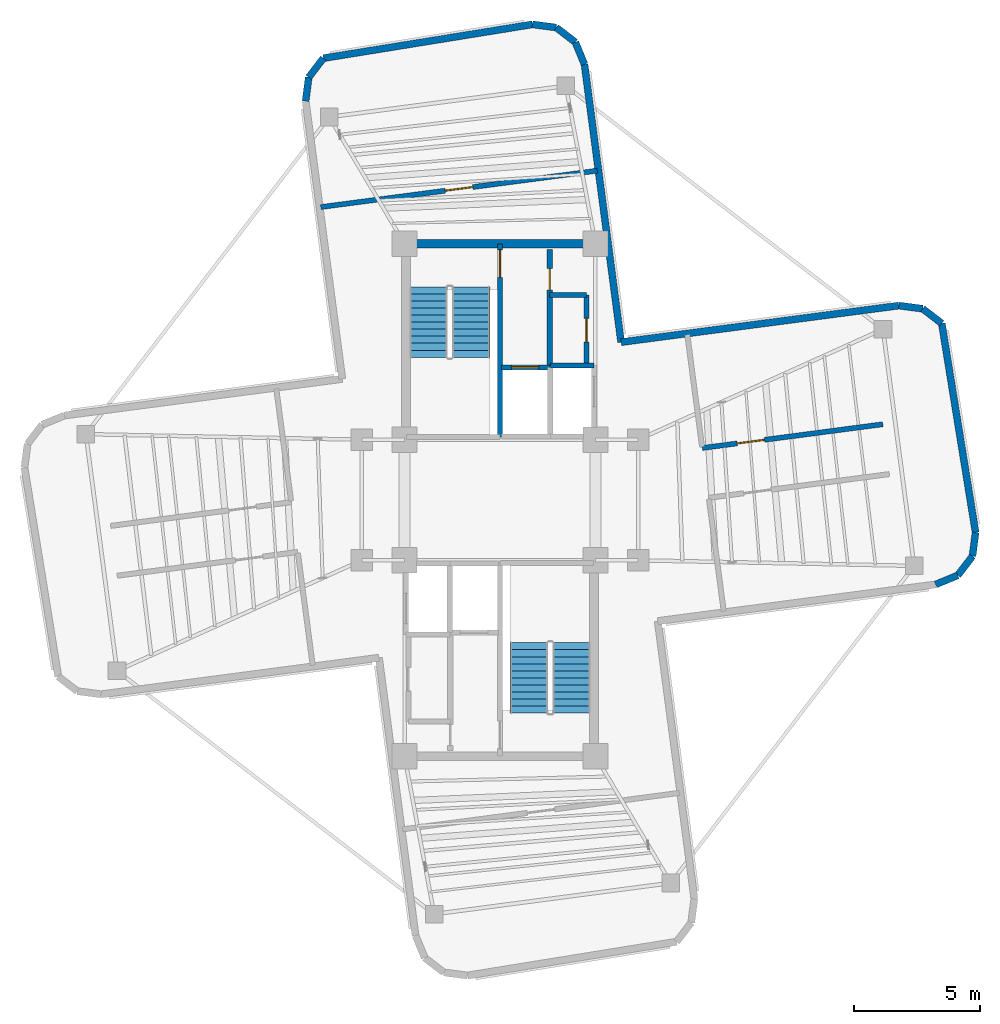
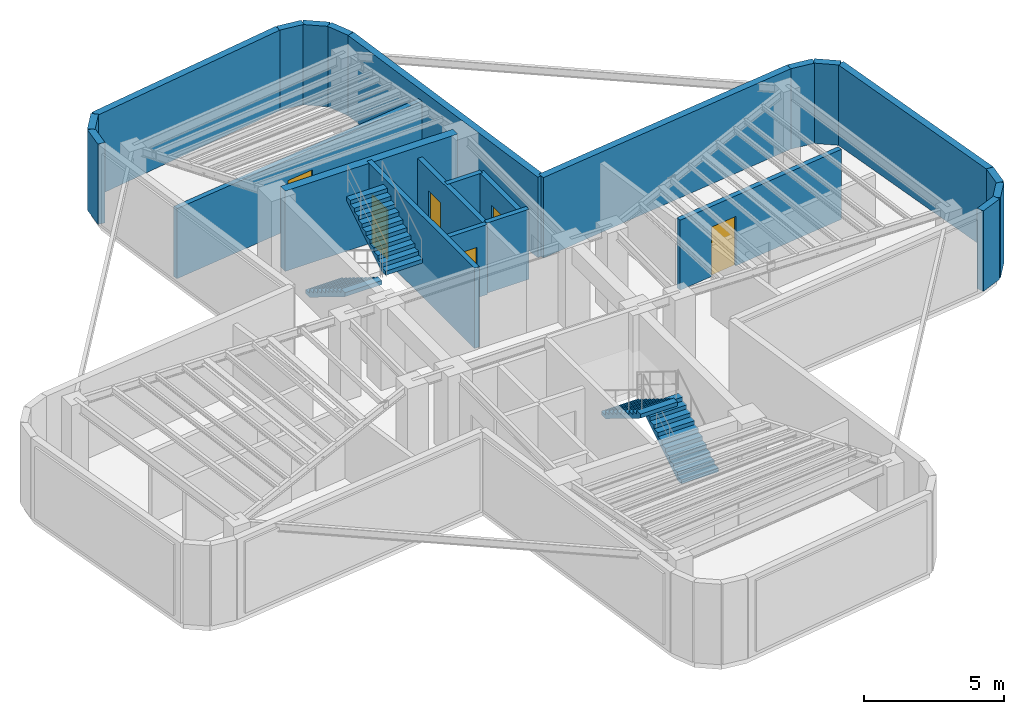
# One storey, part 5 of 6: 23 walls, 6 doors, 4 stair flights, 6 openings, 2 elements without a shape of their own.
"""IFC4 building model written with IfcOpenShell, lengths in metres."""

import ifcopenshell
import ifcopenshell.guid

model = None  # the IFC model being written
_history = None  # IfcOwnerHistory: only IFC2X3 demands one
_inside = {}  # id of a spatial element -> (the spatial element, [elements in it])
_under = {}  # id of a project, library or spatial element -> (it, [spatial elements below it])
_declared = {}  # id of a project -> (the project, [libraries it declares])
_typed = {}  # id of a type object -> (the type object, [elements of that type])
_made_of = {}  # id of a material, layer set ... -> (it, [elements and type objects made of it])


def new_model(schema):
    """Start an empty IFC model of exactly this schema.

    Asked for "IFC4X3", IfcOpenShell would pick the latest addendum, in which some entities
    have other attributes; the version numbers below select the first issue.
    IFC2X3 requires an IfcOwnerHistory on every rooted entity: one is made here for all.
    """
    global model, _history
    if schema == "IFC4X3":
        model = ifcopenshell.file(schema_version=(4, 3, 0, 0))
    else:
        model = ifcopenshell.file(schema=schema)
    _inside.clear()
    _under.clear()
    _declared.clear()
    _typed.clear()
    _made_of.clear()
    _history = None
    if model.schema == "IFC2X3":
        org = make("IfcOrganization", Name="unknown")
        user = make(
            "IfcPersonAndOrganization",
            ThePerson=make("IfcPerson", FamilyName="unknown"),
            TheOrganization=org,
        )
        app = make(
            "IfcApplication",
            ApplicationDeveloper=org,
            Version="unknown",
            ApplicationFullName="unknown",
            ApplicationIdentifier="unknown",
        )
        _history = make(
            "IfcOwnerHistory",
            OwningUser=user,
            OwningApplication=app,
            ChangeAction="ADDED",
            CreationDate=0,
        )
    return model


def make(cls, **values):
    """One entity of the class cls with the attributes given. An attribute that is None is left unset."""
    return model.create_entity(
        cls, **{name: value for name, value in values.items() if value is not None}
    )


def rooted(cls, **values):
    """An entity with a GlobalId (a new one), such as an element, a storey or a relation."""
    return make(cls, GlobalId=ifcopenshell.guid.new(), OwnerHistory=_history, **values)


def si_unit(unit_type, name, prefix=None):
    """IfcSIUnit, for example si_unit("LENGTHUNIT", "METRE", prefix="MILLI")."""
    return make("IfcSIUnit", UnitType=unit_type, Prefix=prefix, Name=name)


def assignment(units):
    """IfcUnitAssignment: the units of a project."""
    return None if units is None else make("IfcUnitAssignment", Units=units)


def point(xyz):
    """IfcCartesianPoint."""
    return None if xyz is None else make("IfcCartesianPoint", Coordinates=xyz)


def direction(xyz):
    """IfcDirection."""
    return None if xyz is None else make("IfcDirection", DirectionRatios=xyz)


def frame(location, z_axis=None, x_axis=None):
    """IfcAxis2Placement3D, a coordinate frame: its origin and axes. An axis left out is left unset."""
    return make(
        "IfcAxis2Placement3D",
        Location=point(location),
        Axis=direction(z_axis),
        RefDirection=direction(x_axis),
    )


def frame_2d(location, x_axis=None):
    """IfcAxis2Placement2D, a coordinate frame in the plane: its origin and x axis."""
    return make(
        "IfcAxis2Placement2D", Location=point(location), RefDirection=direction(x_axis)
    )


def origin():
    """The frame at (0, 0, 0) with its axes left unset."""
    return frame((0.0, 0.0, 0.0))


def origin_2d():
    """The frame at (0, 0) in the plane with its x axis left unset."""
    return frame_2d((0.0, 0.0))


def place(relative_to, where):
    """IfcLocalPlacement: puts the frame where relative to a parent placement (None: the world)."""
    return make(
        "IfcLocalPlacement", PlacementRelTo=relative_to, RelativePlacement=where
    )


def context(
    kind, dimensions, precision=None, world=None, true_north=None, identifier=None
):
    """IfcGeometricRepresentationContext, for example the 3D "Model" context."""
    return make(
        "IfcGeometricRepresentationContext",
        ContextIdentifier=identifier,
        ContextType=kind,
        CoordinateSpaceDimension=dimensions,
        Precision=precision,
        WorldCoordinateSystem=world,
        TrueNorth=true_north,
    )


def subcontext(parent, identifier, kind, view, scale=None):
    """IfcGeometricRepresentationSubContext, for example "Body" below "Model"."""
    return make(
        "IfcGeometricRepresentationSubContext",
        ContextIdentifier=identifier,
        ContextType=kind,
        ParentContext=parent,
        TargetScale=scale,
        TargetView=view,
    )


def project(units=None, contexts=None):
    """IfcProject with its units and contexts."""
    return rooted(
        "IfcProject",
        Name="project",
        RepresentationContexts=contexts,
        UnitsInContext=assignment(units),
    )


def spatial(cls, under=None, at=None, **own):
    """A site, building, storey or space (cls), placed at a placement, below another one or the project."""
    s = rooted(cls, ObjectPlacement=at, **own)
    if under is not None:
        _under.setdefault(under.id(), (under, []))[1].append(s)
    return s


def polyline(points):
    """IfcPolyline through the points."""
    return make("IfcPolyline", Points=[point(p) for p in points])


def profile(cls, at=None, kind="AREA", **sizes):
    """A parametric profile (cls). Its sizes go by their IFC names, for example OverallWidth=200.0."""
    return make(cls, ProfileType=kind, Position=at, **sizes)


def rectangle(**sizes):
    """IfcRectangleProfileDef."""
    return profile("IfcRectangleProfileDef", **sizes)


def outline(outer, holes=None, kind="AREA"):
    """IfcArbitraryClosedProfileDef: a profile drawn as a closed curve; with holes, ...WithVoids."""
    if holes is None:
        return make("IfcArbitraryClosedProfileDef", ProfileType=kind, OuterCurve=outer)
    return make(
        "IfcArbitraryProfileDefWithVoids",
        ProfileType=kind,
        OuterCurve=outer,
        InnerCurves=holes,
    )


def extrude(swept, where, along, depth):
    """IfcExtrudedAreaSolid: the profile swept, set in the frame where, extruded along a direction by depth."""
    return make(
        "IfcExtrudedAreaSolid",
        SweptArea=swept,
        Position=where,
        ExtrudedDirection=direction(along),
        Depth=depth,
    )


def shape(context_of_items, identifier, shape_type, items):
    """IfcShapeRepresentation: the items that make up one representation, for example the "Body"."""
    return make(
        "IfcShapeRepresentation",
        ContextOfItems=context_of_items,
        RepresentationIdentifier=identifier,
        RepresentationType=shape_type,
        Items=items,
    )


def source(mapping_origin, context_of_items, identifier, shape_type, items):
    """IfcRepresentationMap: a shape defined once, which mapped items show again and again."""
    return make(
        "IfcRepresentationMap",
        MappingOrigin=mapping_origin,
        MappedRepresentation=shape(context_of_items, identifier, shape_type, items),
    )


def transform(
    local_origin,
    x_axis=None,
    y_axis=None,
    z_axis=None,
    scale=None,
    scale2=None,
    scale3=None,
    uniform=True,
):
    """IfcCartesianTransformationOperator3D, or its non-uniform kind. x_axis, y_axis, z_axis: its Axis1, 2, 3."""
    if uniform:
        return make(
            "IfcCartesianTransformationOperator3D",
            Axis1=direction(x_axis),
            Axis2=direction(y_axis),
            LocalOrigin=point(local_origin),
            Scale=scale,
            Axis3=direction(z_axis),
        )
    return make(
        "IfcCartesianTransformationOperator3DnonUniform",
        Axis1=direction(x_axis),
        Axis2=direction(y_axis),
        LocalOrigin=point(local_origin),
        Scale=scale,
        Axis3=direction(z_axis),
        Scale2=scale2,
        Scale3=scale3,
    )


def mapped(mapping_source, mapping_target):
    """IfcMappedItem: shows the shape of a source again, moved by a transform."""
    return make(
        "IfcMappedItem", MappingSource=mapping_source, MappingTarget=mapping_target
    )


def material(Name=None, Category=None):
    """IfcMaterial."""
    return make("IfcMaterial", Name=Name, Category=Category)


def layer(
    of_material, thickness, ventilated=None, Name=None, Category=None, Priority=None
):
    """IfcMaterialLayer: one layer of a wall or slab, of a material (None: an air gap)."""
    return make(
        "IfcMaterialLayer",
        Material=of_material,
        LayerThickness=thickness,
        IsVentilated=ventilated,
        Name=Name,
        Category=Category,
        Priority=Priority,
    )


def layer_set(layers, Name=None):
    """IfcMaterialLayerSet."""
    return make("IfcMaterialLayerSet", MaterialLayers=layers, LayerSetName=Name)


def made_of(thing, what):
    """Note that an element or type object is made of a material, layer set ...; save() writes the relation."""
    if what is not None:
        _made_of.setdefault(what.id(), (what, []))[1].append(thing)
    return thing


def type_object(cls, material=None, **own):
    """A type object (cls), such as IfcWallType, which elements share."""
    return made_of(rooted(cls, **own), material)


def element(
    cls,
    number,
    at=None,
    inside=None,
    cuts=None,
    type_object=None,
    material=None,
    context=None,
    identifier="Body",
    shape_type=None,
    held_by="IfcProductDefinitionShape",
    body=None,
    shapes=None,
    **own,
):
    """One element of the class cls, such as IfcWall. Its Tag is "e" and its number.

    at: its placement. inside: the storey or other place that contains it. cuts: it is an
    opening in that element (IfcRelVoidsElement). A single representation is given by context,
    identifier, shape_type and body (its items); several are given by shapes. held_by: the class
    of the entity that holds the representations. save() writes the other relations.
    """
    e = rooted(cls, Tag="e%d" % number, ObjectPlacement=at, **own)
    if body is not None:
        shapes = [shape(context, identifier, shape_type, body)]
    if shapes is not None:
        e.Representation = make(held_by, Representations=shapes)
    if inside is not None:
        _inside.setdefault(inside.id(), (inside, []))[1].append(e)
    if cuts is not None:
        rooted(
            "IfcRelVoidsElement", RelatingBuildingElement=cuts, RelatedOpeningElement=e
        )
    if type_object is not None:
        _typed.setdefault(type_object.id(), (type_object, []))[1].append(e)
    return made_of(e, material)


def fill(opening, filler):
    """IfcRelFillsElement: the door or window that sits in an opening."""
    return rooted(
        "IfcRelFillsElement",
        RelatingOpeningElement=opening,
        RelatedBuildingElement=filler,
    )


def aggregate(whole, parts):
    """IfcRelAggregates: a whole, such as a stair, and the parts it consists of."""
    return rooted("IfcRelAggregates", RelatingObject=whole, RelatedObjects=parts)


def save(model, path):
    """Write the relations noted so far, then the file.

    IfcRelAggregates (storeys below a building ...), IfcRelContainedInSpatialStructure (elements
    in a storey), IfcRelDefinesByType, IfcRelAssociatesMaterial and IfcRelDeclares: one each for
    every whole, place, type object, material and project.
    """
    for whole, parts in _under.values():
        aggregate(whole, parts)
    for where, things in _inside.values():
        rooted(
            "IfcRelContainedInSpatialStructure",
            RelatedElements=things,
            RelatingStructure=where,
        )
    for kind, things in _typed.values():
        rooted("IfcRelDefinesByType", RelatedObjects=things, RelatingType=kind)
    for what, things in _made_of.values():
        rooted("IfcRelAssociatesMaterial", RelatedObjects=things, RelatingMaterial=what)
    for by, libraries in _declared.values():
        rooted("IfcRelDeclares", RelatingContext=by, RelatedDefinitions=libraries)
    model.write(path)


model = new_model("IFC4")

# Units and contexts
model_context = context("Model", 3, precision=1e-05, world=origin(), true_north=direction((0.0, 1.0)))
body_context = subcontext(model_context, "Body", "Model", "MODEL_VIEW")
ifc_project = project(units=[si_unit("LENGTHUNIT", "METRE"), si_unit("AREAUNIT", "SQUARE_METRE"), si_unit("VOLUMEUNIT", "CUBIC_METRE"), si_unit("PLANEANGLEUNIT", "RADIAN"), si_unit("MASSUNIT", "GRAM", prefix="KILO")], contexts=[model_context])

# Site, building, storey
site_placement = place(None, origin())
site = spatial("IfcSite", under=ifc_project, at=site_placement, CompositionType="ELEMENT")
building_placement = place(site_placement, origin())
building = spatial("IfcBuilding", under=site, at=building_placement, Name="Sahyath Konkavel Grand Hotel", CompositionType="ELEMENT")
storey_placement = place(building_placement, frame((0.0, 0.0, 292.699951171875)))
storey = spatial("IfcBuildingStorey", under=building, at=storey_placement, Name="L81", CompositionType="ELEMENT", Elevation=292.699951171875)

# Wall
ifc_material_1 = material(Name="Concrete C40/50", Category="concrete")
ifc_layer_1 = layer(ifc_material_1, 0.35009765625)
ifc_layer_set_1 = layer_set([ifc_layer_1], Name="Concrete C40/50")
wall_type_1 = type_object("IfcWallType", Name="CWALL-350", PredefinedType="SHEAR", material=ifc_layer_set_1)
wall_1_placement = place(storey_placement, frame((-3.550048828125, 10.199951171875, 0.0), z_axis=(0.0, 0.0, 1.0), x_axis=(1.0, 0.0, 0.0)))
element("IfcWall", 1, at=wall_1_placement, inside=storey, type_object=wall_type_1, Name="L81 North Core Shear Wall N", PredefinedType="SHEAR", context=body_context, shape_type="SweptSolid", body=[
    extrude(rectangle(XDim=7.10009765625, YDim=0.35009765625, at=frame_2d((3.550048828125, 0.0))), origin(), (0.0, 0.0, 1.0), 3.5),
])

# Wall, opening, door
ifc_layer_2 = layer(ifc_material_1, 0.199951171875)
ifc_layer_set_2 = layer_set([ifc_layer_2], Name="Concrete C40/50")
wall_type_2 = type_object("IfcWallType", Name="WLL-CORE-200", PredefinedType="SOLIDWALL", material=ifc_layer_set_2)
wall_2_placement = place(storey_placement, frame((0.0, 2.5, 0.0), z_axis=(0.0, 0.0, 1.0), x_axis=(0.0, 1.0, 0.0)))
wall_2 = element("IfcWall", 2, at=wall_2_placement, inside=storey, type_object=wall_type_2, Name="L81 Stair ST-1 Shaft Wall E", PredefinedType="SOLIDWALL", context=body_context, shape_type="SweptSolid", body=[
    extrude(rectangle(XDim=7.679931640625, YDim=0.199951171875, at=frame_2d((3.83984375, 0.0))), origin(), (0.0, 0.0, 1.0), 3.5),
])
opening_1_placement = place(wall_2_placement, frame((6.360107421875, 0.0, 0.0)))
opening_1 = element("IfcOpeningElement", 3, at=opening_1_placement, cuts=wall_2, Name="Opening D-F12B", PredefinedType="OPENING", context=body_context, shape_type="SweptSolid", body=[
    extrude(rectangle(XDim=1.10009765625, YDim=2.14990234375, at=frame_2d((0.550048828125, 1.074951171875))), frame((0.0, 0.10986328125, 0.0), z_axis=(0.0, -1.0, 0.0), x_axis=(1.0, 0.0, 0.0)), (0.0, 0.0, 1.0), 0.219970703125),
])
ifc_material_2 = material(Name="Steel E350 Smokeproof Fire Door", Category="steel")
door_type_1 = type_object("IfcDoorType", Name="DR-FD120-1100", OperationType="NOTDEFINED", PredefinedType="DOOR", material=ifc_material_2)
shared_shape_1 = source(origin(), body_context, "Body", "SweptSolid", [
    extrude(rectangle(XDim=1.10009765625, YDim=0.050048828125, at=origin_2d()), origin(), (0.0, 0.0, 1.0), 2.14990234375),
])
door_1_placement = place(opening_1_placement, frame((0.550048828125, 0.0, 0.0)))
door_1 = element("IfcDoor", 4, at=door_1_placement, inside=storey, type_object=door_type_1, Name="L81 Stair ST-1 Fire Door", OperationType="SINGLE_SWING_LEFT", OverallHeight=2.14990234375, OverallWidth=1.10009765625, PredefinedType="DOOR", context=body_context, shape_type="MappedRepresentation", body=[
    mapped(shared_shape_1, transform((0.0, 0.0, 0.0), scale=1.0)),
])
fill(opening_1, door_1)

wall_3_placement = place(storey_placement, frame((1.97998046875, 5.320068359375, 0.0), z_axis=(0.0, 0.0, 1.0), x_axis=(0.0, 1.0, 0.0)))
wall_3 = element("IfcWall", 5, at=wall_3_placement, inside=storey, type_object=wall_type_2, Name="L81 North Firefighting Lobby Wall E", PredefinedType="SOLIDWALL", context=body_context, shape_type="SweptSolid", body=[
    extrude(rectangle(XDim=4.659912109375, YDim=0.199951171875, at=frame_2d((2.330078125, 0.0))), origin(), (0.0, 0.0, 1.0), 3.050048828125),
])
opening_2_placement = place(wall_3_placement, frame((3.0400390625, 0.0, 0.0)))
opening_2 = element("IfcOpeningElement", 6, at=opening_2_placement, cuts=wall_3, Name="Opening D-F12D", PredefinedType="OPENING", context=body_context, shape_type="SweptSolid", body=[
    extrude(rectangle(XDim=0.85009765625, YDim=2.10009765625, at=frame_2d((0.425048828125, 1.050048828125))), frame((0.0, 0.10986328125, 0.0), z_axis=(0.0, -1.0, 0.0), x_axis=(1.0, 0.0, 0.0)), (0.0, 0.0, 1.0), 0.219970703125),
])
ifc_material_3 = material(Name="Steel E350 Core Fire Door", Category="steel")
door_type_2 = type_object("IfcDoorType", Name="DR-FD120-850", OperationType="NOTDEFINED", PredefinedType="DOOR", material=ifc_material_3)
shared_shape_2 = source(origin(), body_context, "Body", "SweptSolid", [
    extrude(rectangle(XDim=0.85009765625, YDim=0.050048828125, at=origin_2d()), origin(), (0.0, 0.0, 1.0), 2.10009765625),
])
door_2_placement = place(opening_2_placement, frame((0.425048828125, 0.0, 0.0)))
door_2 = element("IfcDoor", 7, at=door_2_placement, inside=storey, type_object=door_type_2, Name="L81 North Firefighting Lobby Door", OperationType="SINGLE_SWING_LEFT", OverallHeight=2.10009765625, OverallWidth=0.85009765625, PredefinedType="DOOR", context=body_context, shape_type="MappedRepresentation", body=[
    mapped(shared_shape_2, transform((0.0, 0.0, 0.0), scale=1.0)),
])
fill(opening_2, door_2)

wall_4_placement = place(storey_placement, frame((0.050048828125, 5.280029296875, 0.0), z_axis=(0.0, 0.0, 1.0), x_axis=(1.0, 0.0, 0.0)))
wall_4 = element("IfcWall", 8, at=wall_4_placement, inside=storey, type_object=wall_type_2, Name="L81 Partition SH-FFL1-N", PredefinedType="SOLIDWALL", context=body_context, shape_type="SweptSolid", body=[
    extrude(rectangle(XDim=1.929931640625, YDim=0.199951171875, at=frame_2d((0.96484375, 0.0))), origin(), (0.0, 0.0, 1.0), 3.050048828125),
])
opening_3_placement = place(wall_4_placement, frame((0.39990234375, 0.0, 0.0)))
opening_3 = element("IfcOpeningElement", 9, at=opening_3_placement, cuts=wall_4, Name="Opening LD-11", PredefinedType="OPENING", context=body_context, shape_type="SweptSolid", body=[
    extrude(rectangle(XDim=1.10009765625, YDim=2.199951171875, at=frame_2d((0.550048828125, 1.10009765625))), frame((0.0, 0.10986328125, 0.0), z_axis=(0.0, -1.0, 0.0), x_axis=(1.0, 0.0, 0.0)), (0.0, 0.0, 1.0), 0.219970703125),
])
ifc_material_4 = material(Name="Bronze Lift Landing Door 1100")
door_type_3 = type_object("IfcDoorType", Name="DR-LIFT-1100", OperationType="DOUBLE_DOOR_SLIDING", PredefinedType="DOOR", material=ifc_material_4)
shared_shape_3 = source(origin(), body_context, "Body", "SweptSolid", [
    extrude(rectangle(XDim=1.10009765625, YDim=0.050048828125, at=origin_2d()), origin(), (0.0, 0.0, 1.0), 2.199951171875),
])
door_3_placement = place(opening_3_placement, frame((0.550048828125, 0.0, 0.0)))
door_3 = element("IfcDoor", 10, at=door_3_placement, inside=storey, type_object=door_type_3, Name="L81 Lift FFL-1 Landing Door", OperationType="DOUBLE_DOOR_SLIDING", OverallHeight=2.199951171875, OverallWidth=1.10009765625, PredefinedType="DOOR", context=body_context, shape_type="MappedRepresentation", body=[
    mapped(shared_shape_3, transform((0.0, 0.0, 0.0), scale=1.0)),
])
fill(opening_3, door_3)

# Wall
wall_5_placement = place(storey_placement, frame((2.0, 5.360107421875, 0.0), z_axis=(0.0, 0.0, 1.0), x_axis=(1.0, 0.0, 0.0)))
element("IfcWall", 11, at=wall_5_placement, inside=storey, type_object=wall_type_2, Name="L81 Partition SH-SVL1-N", PredefinedType="SOLIDWALL", context=body_context, shape_type="SweptSolid", body=[
    extrude(rectangle(XDim=1.739990234375, YDim=0.199951171875, at=frame_2d((0.8701171875, 0.0))), origin(), (0.0, 0.0, 1.0), 3.050048828125),
])

# Wall, opening, door
wall_6_placement = place(storey_placement, frame((3.43994140625, 5.3798828125, 0.0), z_axis=(0.0, 0.0, 1.0), x_axis=(0.0, 1.0, 0.0)))
wall_6 = element("IfcWall", 12, at=wall_6_placement, inside=storey, type_object=wall_type_2, Name="L81 Reclaimed North Core Wall E", PredefinedType="SOLIDWALL", context=body_context, shape_type="SweptSolid", body=[
    extrude(rectangle(XDim=2.77001953125, YDim=0.199951171875, at=frame_2d((1.385009765625, 0.0))), origin(), (0.0, 0.0, 1.0), 3.050048828125),
])
opening_4_placement = place(wall_6_placement, frame((0.89990234375, 0.0, 0.0)))
opening_4 = element("IfcOpeningElement", 13, at=opening_4_placement, cuts=wall_6, Name="Opening D-F06B", PredefinedType="OPENING", context=body_context, shape_type="SweptSolid", body=[
    extrude(rectangle(XDim=0.949951171875, YDim=2.14990234375, at=frame_2d((0.47509765625, 1.074951171875))), frame((0.0, 0.10986328125, 0.0), z_axis=(0.0, -1.0, 0.0), x_axis=(1.0, 0.0, 0.0)), (0.0, 0.0, 1.0), 0.219970703125),
])
ifc_material_5 = material(Name="Teak Veneer Fire-Rated Guest Entrance Door")
door_type_4 = type_object("IfcDoorType", Name="DR-FD60-950", OperationType="NOTDEFINED", PredefinedType="DOOR", material=ifc_material_5)
shared_shape_4 = source(origin(), body_context, "Body", "SweptSolid", [
    extrude(rectangle(XDim=0.949951171875, YDim=0.050048828125, at=origin_2d()), origin(), (0.0, 0.0, 1.0), 2.14990234375),
])
door_4_placement = place(opening_4_placement, frame((0.47509765625, 0.0, 0.0)))
door_4 = element("IfcDoor", 14, at=door_4_placement, inside=storey, type_object=door_type_4, Name="L81 Door NC-REC1-D", OperationType="SINGLE_SWING_LEFT", OverallHeight=2.14990234375, OverallWidth=0.949951171875, PredefinedType="DOOR", context=body_context, shape_type="MappedRepresentation", body=[
    mapped(shared_shape_4, transform((0.0, 0.0, 0.0), scale=1.0)),
])
fill(opening_4, door_4)

# Wall
wall_7_placement = place(storey_placement, frame((1.97998046875, 8.14990234375, 0.0), z_axis=(0.0, 0.0, 1.0), x_axis=(1.0, 0.0, 0.0)))
element("IfcWall", 15, at=wall_7_placement, inside=storey, type_object=wall_type_2, Name="L81 Partition NC-REC-N", PredefinedType="SOLIDWALL", context=body_context, shape_type="SweptSolid", body=[
    extrude(rectangle(XDim=1.4599609375, YDim=0.199951171875, at=frame_2d((0.72998046875, 0.0))), origin(), (0.0, 0.0, 1.0), 3.050048828125),
])

# Wall, opening, door
wall_8_placement = place(storey_placement, frame((8.048828125, 2.068359375, 0.0), z_axis=(0.0, 0.0, 1.0), x_axis=(0.991445353075, 0.130522457324, 0.0)))
wall_8 = element("IfcWall", 16, at=wall_8_placement, inside=storey, type_object=wall_type_2, Name="L81 Partition CP-E1-W", PredefinedType="SOLIDWALL", context=body_context, shape_type="SweptSolid", body=[
    extrude(rectangle(XDim=7.25, YDim=0.199951171875, at=frame_2d((3.625, 0.0))), origin(), (0.0, 0.0, 1.0), 3.050048828125),
])
opening_5_placement = place(wall_8_placement, frame((1.39990234375, 0.0, 0.0)))
opening_5 = element("IfcOpeningElement", 17, at=opening_5_placement, cuts=wall_8, Name="Opening D-F12B", PredefinedType="OPENING", context=body_context, shape_type="SweptSolid", body=[
    extrude(rectangle(XDim=1.10009765625, YDim=2.14990234375, at=frame_2d((0.550048828125, 1.074951171875))), frame((0.0, 0.10986328125, 0.0), z_axis=(0.0, -1.0, 0.0), x_axis=(1.0, 0.0, 0.0)), (0.0, 0.0, 1.0), 0.219970703125),
])
door_5_placement = place(opening_5_placement, frame((0.550048828125, 0.0, 0.0)))
door_5 = element("IfcDoor", 18, at=door_5_placement, inside=storey, type_object=door_type_1, Name="L81 Door CP-E1-D", OperationType="SINGLE_SWING_LEFT", OverallHeight=2.14990234375, OverallWidth=1.10009765625, PredefinedType="DOOR", context=body_context, shape_type="MappedRepresentation", body=[
    mapped(shared_shape_1, transform((0.0, 0.0, 0.0), scale=1.0)),
])
fill(opening_5, door_5)

wall_9_placement = place(storey_placement, frame((3.872314453125, 13.107666015625, 0.0), z_axis=(0.0, 0.0, 1.0), x_axis=(-0.991443437127, -0.130537009991, 0.0)))
wall_9 = element("IfcWall", 19, at=wall_9_placement, inside=storey, type_object=wall_type_2, Name="L81 Partition CP-TEL-IN", PredefinedType="SOLIDWALL", context=body_context, shape_type="SweptSolid", body=[
    extrude(rectangle(XDim=11.10009765625, YDim=0.199951171875, at=frame_2d((5.550048828125, 0.0))), origin(), (0.0, 0.0, 1.0), 3.050048828125),
])
opening_6_placement = place(wall_9_placement, frame((5.0, 0.0, 0.0)))
opening_6 = element("IfcOpeningElement", 20, at=opening_6_placement, cuts=wall_9, Name="Opening D-F12B", PredefinedType="OPENING", context=body_context, shape_type="SweptSolid", body=[
    extrude(rectangle(XDim=1.10009765625, YDim=2.14990234375, at=frame_2d((0.550048828125, 1.074951171875))), frame((0.0, 0.10986328125, 0.0), z_axis=(0.0, -1.0, 0.0), x_axis=(1.0, 0.0, 0.0)), (0.0, 0.0, 1.0), 0.219970703125),
])
door_6_placement = place(opening_6_placement, frame((0.550048828125, 0.0, 0.0)))
door_6 = element("IfcDoor", 21, at=door_6_placement, inside=storey, type_object=door_type_1, Name="L81 Door CP-TEL-D", OperationType="SINGLE_SWING_LEFT", OverallHeight=2.14990234375, OverallWidth=1.10009765625, PredefinedType="DOOR", context=body_context, shape_type="MappedRepresentation", body=[
    mapped(shared_shape_1, transform((0.0, 0.0, 0.0), scale=1.0)),
])
fill(opening_6, door_6)

# Walls
ifc_material_6 = material(Name="Warm Buff Sandstone Insulated Concrete C40/50", Category="masonry")
ifc_layer_3 = layer(ifc_material_6, 0.280029296875)
ifc_layer_set_3 = layer_set([ifc_layer_3], Name="Warm Buff Sandstone Insulated Concrete C40/50")
wall_type_3 = type_object("IfcWallType", Name="WLL-CROWN-CLAD", PredefinedType="SOLIDWALL", material=ifc_layer_set_3)
for number, where, z_axis, x_axis, name in (
    (22, (17.337646484375, -3.36572265625, 0.0), (0.0, 0.0, 1.0), (0.923889442397, 0.382659506909, 0.0), "L81 Crown Sandstone & Acoustic Louvre Wall 1"),
    (23, (18.222412109375, -2.999267578125, 0.0), (0.0, 0.0, 1.0), (0.608774010809, 0.793343685778, 0.0), "L81 Crown Sandstone & Acoustic Louvre Wall 2"),
    (24, (18.805419921875, -2.239501953125, 0.0), (0.0, 0.0, 1.0), (0.130527053476, 0.991444747987, 0.0), "L81 Crown Sandstone & Acoustic Louvre Wall 3"),
):
    element("IfcWall", number, at=place(storey_placement, frame(where, z_axis=z_axis, x_axis=x_axis)), inside=storey, type_object=wall_type_3, Name=name, PredefinedType="SOLIDWALL", context=body_context, shape_type="SweptSolid", body=[
        extrude(rectangle(XDim=0.957763671875, YDim=0.280029296875, at=frame_2d((0.47900390625, 0.0))), origin(), (0.0, 0.0, 1.0), 3.5),
    ])
wall_10_placement = place(storey_placement, frame((18.930419921875, -1.2900390625, 0.0), z_axis=(0.0, 0.0, 1.0), x_axis=(-0.159629483961, 0.987176999251, 0.0)))
element("IfcWall", 25, at=wall_10_placement, inside=storey, type_object=wall_type_3, Name="L81 Crown Sandstone & Acoustic Louvre Wall 4", PredefinedType="SOLIDWALL", context=body_context, shape_type="SweptSolid", body=[
    extrude(rectangle(XDim=8.4287109375, YDim=0.280029296875, at=frame_2d((4.21435546875, 0.0))), origin(), (0.0, 0.0, 1.0), 3.5),
])
wall_11_placement = place(storey_placement, frame((17.5849609375, 7.030517578125, 0.0), z_axis=(0.0, 0.0, 1.0), x_axis=(-0.793466811674, 0.60861352168, 0.0)))
element("IfcWall", 26, at=wall_11_placement, inside=storey, type_object=wall_type_3, Name="L81 Crown Sandstone & Acoustic Louvre Wall 5", PredefinedType="SOLIDWALL", context=body_context, shape_type="SweptSolid", body=[
    extrude(rectangle(XDim=0.95751953125, YDim=0.280029296875, at=frame_2d((0.478759765625, 0.0))), origin(), (0.0, 0.0, 1.0), 3.5),
])
wall_12_placement = place(storey_placement, frame((16.8251953125, 7.61328125, 0.0), z_axis=(0.0, 0.0, 1.0), x_axis=(-0.991444747987, 0.130527053476, 0.0)))
element("IfcWall", 27, at=wall_12_placement, inside=storey, type_object=wall_type_3, Name="L81 Crown Sandstone & Acoustic Louvre Wall 6", PredefinedType="SOLIDWALL", context=body_context, shape_type="SweptSolid", body=[
    extrude(rectangle(XDim=0.957763671875, YDim=0.280029296875, at=frame_2d((0.47900390625, 0.0))), origin(), (0.0, 0.0, 1.0), 3.5),
])
for number, where, z_axis, x_axis, name in (
    (28, (15.875732421875, 7.73828125, 0.0), (0.0, 0.0, 1.0), (-0.991445499165, -0.130521347626, 0.0), "L81 Crown Sandstone & Acoustic Louvre Wall 7"),
    (29, (4.821044921875, 6.282958984375, 0.0), (0.0, 0.0, 1.0), (-0.130521347626, 0.991445499165, 0.0), "L81 Crown Sandstone & Acoustic Louvre Wall 8"),
):
    element("IfcWall", number, at=place(storey_placement, frame(where, z_axis=z_axis, x_axis=x_axis)), inside=storey, type_object=wall_type_3, Name=name, PredefinedType="SOLIDWALL", context=body_context, shape_type="SweptSolid", body=[
        extrude(rectangle(XDim=11.150146484375, YDim=0.280029296875, at=frame_2d((5.5751953125, 0.0))), origin(), (0.0, 0.0, 1.0), 3.5),
    ])
for number, where, z_axis, x_axis, name in (
    (30, (3.36572265625, 17.337646484375, 0.0), (0.0, 0.0, 1.0), (-0.382659506909, 0.923889442397, 0.0), "L81 Crown Sandstone & Acoustic Louvre Wall 9"),
    (31, (2.999267578125, 18.222412109375, 0.0), (0.0, 0.0, 1.0), (-0.793343685778, 0.608774010809, 0.0), "L81 Crown Sandstone & Acoustic Louvre Wall 10"),
    (32, (2.239501953125, 18.805419921875, 0.0), (0.0, 0.0, 1.0), (-0.991444747987, 0.130527053476, 0.0), "L81 Crown Sandstone & Acoustic Louvre Wall 11"),
):
    element("IfcWall", number, at=place(storey_placement, frame(where, z_axis=z_axis, x_axis=x_axis)), inside=storey, type_object=wall_type_3, Name=name, PredefinedType="SOLIDWALL", context=body_context, shape_type="SweptSolid", body=[
        extrude(rectangle(XDim=0.957763671875, YDim=0.280029296875, at=frame_2d((0.47900390625, 0.0))), origin(), (0.0, 0.0, 1.0), 3.5),
    ])
wall_13_placement = place(storey_placement, frame((1.2900390625, 18.930419921875, 0.0), z_axis=(0.0, 0.0, 1.0), x_axis=(-0.987176999251, -0.159629483961, 0.0)))
element("IfcWall", 33, at=wall_13_placement, inside=storey, type_object=wall_type_3, Name="L81 Crown Sandstone & Acoustic Louvre Wall 12", PredefinedType="SOLIDWALL", context=body_context, shape_type="SweptSolid", body=[
    extrude(rectangle(XDim=8.4287109375, YDim=0.280029296875, at=frame_2d((4.21435546875, 0.0))), origin(), (0.0, 0.0, 1.0), 3.5),
])
wall_14_placement = place(storey_placement, frame((-7.030517578125, 17.5849609375, 0.0), z_axis=(0.0, 0.0, 1.0), x_axis=(-0.60861352168, -0.793466811674, 0.0)))
element("IfcWall", 34, at=wall_14_placement, inside=storey, type_object=wall_type_3, Name="L81 Crown Sandstone & Acoustic Louvre Wall 13", PredefinedType="SOLIDWALL", context=body_context, shape_type="SweptSolid", body=[
    extrude(rectangle(XDim=0.95751953125, YDim=0.280029296875, at=frame_2d((0.478759765625, 0.0))), origin(), (0.0, 0.0, 1.0), 3.5),
])
wall_15_placement = place(storey_placement, frame((-7.61328125, 16.8251953125, 0.0), z_axis=(0.0, 0.0, 1.0), x_axis=(-0.130527053476, -0.991444747987, 0.0)))
element("IfcWall", 35, at=wall_15_placement, inside=storey, type_object=wall_type_3, Name="L81 Crown Sandstone & Acoustic Louvre Wall 14", PredefinedType="SOLIDWALL", context=body_context, shape_type="SweptSolid", body=[
    extrude(rectangle(XDim=0.957763671875, YDim=0.280029296875, at=frame_2d((0.47900390625, 0.0))), origin(), (0.0, 0.0, 1.0), 3.5),
])

# Stair, stair flights
stair_type = type_object("IfcStairType", Name="STR-ST16-380", PredefinedType="HALF_TURN_STAIR", material=ifc_material_1)
stair_1_placement = place(storey_placement, origin())
stair_1 = element("IfcStair", 36, at=stair_1_placement, inside=storey, type_object=stair_type, Name="L81 North Core Smokeproof Exit Stair ST-1", PredefinedType="HALF_TURN_STAIR")
stair_flight_type = type_object("IfcStairFlightType", Name="STF-ST16-380", PredefinedType="STRAIGHT", material=ifc_material_1)
stair_flight_1_placement = place(storey_placement, frame((-2.840087890625, 8.47998046875, 0.0), z_axis=(0.0, 0.0, 1.0), x_axis=(0.0, -1.0, 0.0)))
stair_flight_1 = element("IfcStairFlight", 37, at=stair_flight_1_placement, type_object=stair_flight_type, Name="ST-1 flight 1", NumberOfRisers=11, NumberOfTreads=10, PredefinedType="STRAIGHT", RiserHeight=0.172727273, TreadLength=0.28, context=body_context, shape_type="SweptSolid", body=[
    extrude(outline(polyline([(0.0, 0.0), (0.0, 0.172607421875), (0.280029296875, 0.172607421875), (0.280029296875, 0.345458984375), (0.56005859375, 0.345458984375), (0.56005859375, 0.51806640625), (0.840087890625, 0.51806640625), (0.840087890625, 0.69091796875), (1.1201171875, 0.69091796875), (1.1201171875, 0.863525390625), (1.39990234375, 0.863525390625), (1.39990234375, 1.036376953125), (1.679931640625, 1.036376953125), (1.679931640625, 1.208984375), (1.9599609375, 1.208984375), (1.9599609375, 1.3818359375), (2.239990234375, 1.3818359375), (2.239990234375, 1.554443359375), (2.52001953125, 1.554443359375), (2.52001953125, 1.727294921875), (2.800048828125, 1.727294921875), (2.800048828125, 1.89990234375), (2.800048828125, 1.551025390625), (0.285400390625, 0.0), (0.0, 0.0)])), frame((0.0, 0.760009765625, 0.0), z_axis=(0.0, -1.0, 0.0), x_axis=(1.0, 0.0, 0.0)), (0.0, 0.0, 1.0), 1.52001953125),
])
stair_flight_2_placement = place(storey_placement, frame((-1.159912109375, 5.679931640625, 1.900146484375), z_axis=(0.0, 0.0, 1.0), x_axis=(0.0, 1.0, 0.0)))
stair_flight_2 = element("IfcStairFlight", 38, at=stair_flight_2_placement, type_object=stair_flight_type, Name="ST-1 flight 2", NumberOfRisers=11, NumberOfTreads=10, PredefinedType="STRAIGHT", RiserHeight=0.172727273, TreadLength=0.28, context=body_context, shape_type="SweptSolid", body=[
    extrude(outline(polyline([(0.0, 0.0), (0.0, 0.172607421875), (0.280029296875, 0.172607421875), (0.280029296875, 0.345458984375), (0.56005859375, 0.345458984375), (0.56005859375, 0.51806640625), (0.840087890625, 0.51806640625), (0.840087890625, 0.69091796875), (1.1201171875, 0.69091796875), (1.1201171875, 0.863525390625), (1.39990234375, 0.863525390625), (1.39990234375, 1.036376953125), (1.679931640625, 1.036376953125), (1.679931640625, 1.208984375), (1.9599609375, 1.208984375), (1.9599609375, 1.3818359375), (2.239990234375, 1.3818359375), (2.239990234375, 1.554443359375), (2.52001953125, 1.554443359375), (2.52001953125, 1.727294921875), (2.800048828125, 1.727294921875), (2.800048828125, 1.89990234375), (2.800048828125, 1.551025390625), (0.285400390625, 0.0), (0.0, 0.0)])), frame((0.0, 0.760009765625, 0.0), z_axis=(0.0, -1.0, 0.0), x_axis=(1.0, 0.0, 0.0)), (0.0, 0.0, 1.0), 1.52001953125),
])
aggregate(stair_1, [stair_flight_1, stair_flight_2])

stair_2_placement = place(storey_placement, origin())
stair_2 = element("IfcStair", 39, at=stair_2_placement, inside=storey, type_object=stair_type, Name="L81 South Core Smokeproof Exit Stair ST-2", PredefinedType="HALF_TURN_STAIR")
stair_flight_3_placement = place(storey_placement, frame((2.840087890625, -8.47998046875, 0.0), z_axis=(0.0, 0.0, 1.0), x_axis=(0.0, 1.0, 0.0)))
stair_flight_3 = element("IfcStairFlight", 40, at=stair_flight_3_placement, type_object=stair_flight_type, Name="ST-2 flight 1", NumberOfRisers=11, NumberOfTreads=10, PredefinedType="STRAIGHT", RiserHeight=0.172727273, TreadLength=0.28, context=body_context, shape_type="SweptSolid", body=[
    extrude(outline(polyline([(0.0, 0.0), (0.0, 0.172607421875), (0.280029296875, 0.172607421875), (0.280029296875, 0.345458984375), (0.56005859375, 0.345458984375), (0.56005859375, 0.51806640625), (0.840087890625, 0.51806640625), (0.840087890625, 0.69091796875), (1.1201171875, 0.69091796875), (1.1201171875, 0.863525390625), (1.39990234375, 0.863525390625), (1.39990234375, 1.036376953125), (1.679931640625, 1.036376953125), (1.679931640625, 1.208984375), (1.9599609375, 1.208984375), (1.9599609375, 1.3818359375), (2.239990234375, 1.3818359375), (2.239990234375, 1.554443359375), (2.52001953125, 1.554443359375), (2.52001953125, 1.727294921875), (2.800048828125, 1.727294921875), (2.800048828125, 1.89990234375), (2.800048828125, 1.551025390625), (0.285400390625, 0.0), (0.0, 0.0)])), frame((0.0, 0.760009765625, 0.0), z_axis=(0.0, -1.0, 0.0), x_axis=(1.0, 0.0, 0.0)), (0.0, 0.0, 1.0), 1.52001953125),
])
stair_flight_4_placement = place(storey_placement, frame((1.159912109375, -5.679931640625, 1.900146484375), z_axis=(0.0, 0.0, 1.0), x_axis=(0.0, -1.0, 0.0)))
stair_flight_4 = element("IfcStairFlight", 41, at=stair_flight_4_placement, type_object=stair_flight_type, Name="ST-2 flight 2", NumberOfRisers=11, NumberOfTreads=10, PredefinedType="STRAIGHT", RiserHeight=0.172727273, TreadLength=0.28, context=body_context, shape_type="SweptSolid", body=[
    extrude(outline(polyline([(0.0, 0.0), (0.0, 0.172607421875), (0.280029296875, 0.172607421875), (0.280029296875, 0.345458984375), (0.56005859375, 0.345458984375), (0.56005859375, 0.51806640625), (0.840087890625, 0.51806640625), (0.840087890625, 0.69091796875), (1.1201171875, 0.69091796875), (1.1201171875, 0.863525390625), (1.39990234375, 0.863525390625), (1.39990234375, 1.036376953125), (1.679931640625, 1.036376953125), (1.679931640625, 1.208984375), (1.9599609375, 1.208984375), (1.9599609375, 1.3818359375), (2.239990234375, 1.3818359375), (2.239990234375, 1.554443359375), (2.52001953125, 1.554443359375), (2.52001953125, 1.727294921875), (2.800048828125, 1.727294921875), (2.800048828125, 1.89990234375), (2.800048828125, 1.551025390625), (0.285400390625, 0.0), (0.0, 0.0)])), frame((0.0, 0.760009765625, 0.0), z_axis=(0.0, -1.0, 0.0), x_axis=(1.0, 0.0, 0.0)), (0.0, 0.0, 1.0), 1.52001953125),
])
aggregate(stair_2, [stair_flight_3, stair_flight_4])

save(model, "model.ifc")
